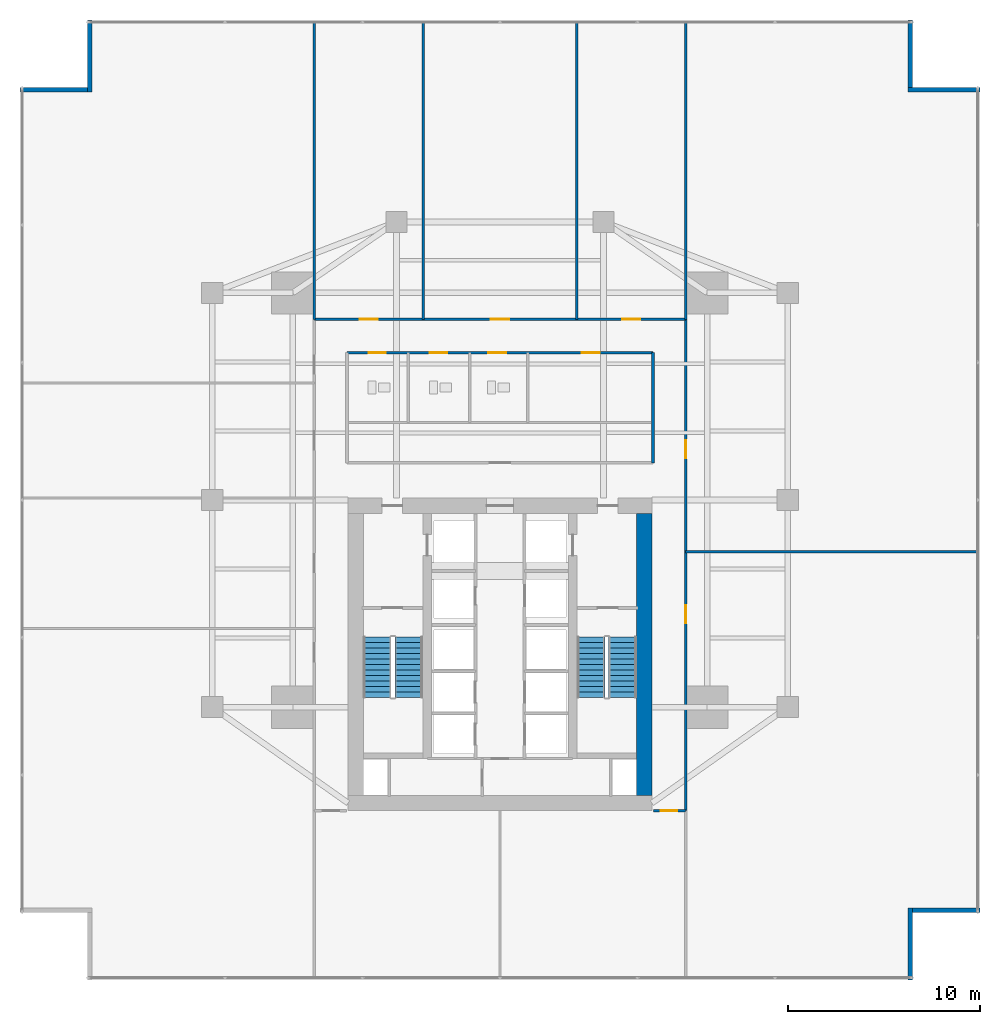
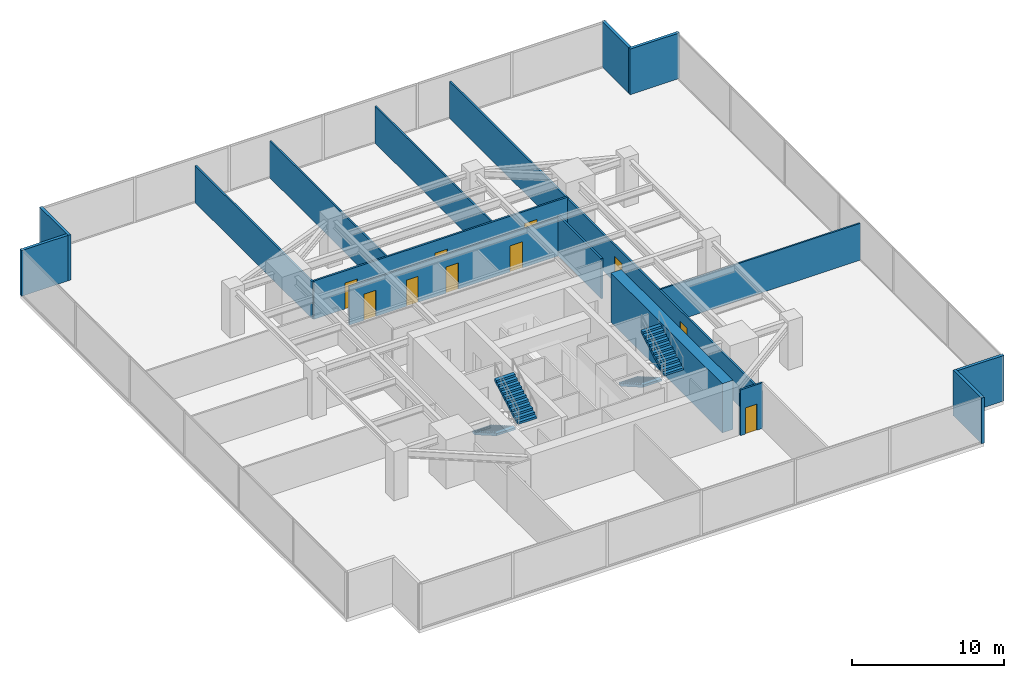
# One storey, part 26 of 28: 17 walls, 10 doors, 4 stair flights, 10 openings, 2 elements without a shape of their own.
"""IFC4 building model written with IfcOpenShell, lengths in metres."""

import ifcopenshell
import ifcopenshell.guid

model = None  # the IFC model being written
_history = None  # IfcOwnerHistory: only IFC2X3 demands one
_inside = {}  # id of a spatial element -> (the spatial element, [elements in it])
_under = {}  # id of a project, library or spatial element -> (it, [spatial elements below it])
_declared = {}  # id of a project -> (the project, [libraries it declares])
_typed = {}  # id of a type object -> (the type object, [elements of that type])
_made_of = {}  # id of a material, layer set ... -> (it, [elements and type objects made of it])


def new_model(schema):
    """Start an empty IFC model of exactly this schema.

    Asked for "IFC4X3", IfcOpenShell would pick the latest addendum, in which some entities
    have other attributes; the version numbers below select the first issue.
    IFC2X3 requires an IfcOwnerHistory on every rooted entity: one is made here for all.
    """
    global model, _history
    if schema == "IFC4X3":
        model = ifcopenshell.file(schema_version=(4, 3, 0, 0))
    else:
        model = ifcopenshell.file(schema=schema)
    _inside.clear()
    _under.clear()
    _declared.clear()
    _typed.clear()
    _made_of.clear()
    _history = None
    if model.schema == "IFC2X3":
        org = make("IfcOrganization", Name="unknown")
        user = make(
            "IfcPersonAndOrganization",
            ThePerson=make("IfcPerson", FamilyName="unknown"),
            TheOrganization=org,
        )
        app = make(
            "IfcApplication",
            ApplicationDeveloper=org,
            Version="unknown",
            ApplicationFullName="unknown",
            ApplicationIdentifier="unknown",
        )
        _history = make(
            "IfcOwnerHistory",
            OwningUser=user,
            OwningApplication=app,
            ChangeAction="ADDED",
            CreationDate=0,
        )
    return model


def make(cls, **values):
    """One entity of the class cls with the attributes given. An attribute that is None is left unset."""
    return model.create_entity(
        cls, **{name: value for name, value in values.items() if value is not None}
    )


def rooted(cls, **values):
    """An entity with a GlobalId (a new one), such as an element, a storey or a relation."""
    return make(cls, GlobalId=ifcopenshell.guid.new(), OwnerHistory=_history, **values)


def si_unit(unit_type, name, prefix=None):
    """IfcSIUnit, for example si_unit("LENGTHUNIT", "METRE", prefix="MILLI")."""
    return make("IfcSIUnit", UnitType=unit_type, Prefix=prefix, Name=name)


def assignment(units):
    """IfcUnitAssignment: the units of a project."""
    return None if units is None else make("IfcUnitAssignment", Units=units)


def point(xyz):
    """IfcCartesianPoint."""
    return None if xyz is None else make("IfcCartesianPoint", Coordinates=xyz)


def direction(xyz):
    """IfcDirection."""
    return None if xyz is None else make("IfcDirection", DirectionRatios=xyz)


def frame(location, z_axis=None, x_axis=None):
    """IfcAxis2Placement3D, a coordinate frame: its origin and axes. An axis left out is left unset."""
    return make(
        "IfcAxis2Placement3D",
        Location=point(location),
        Axis=direction(z_axis),
        RefDirection=direction(x_axis),
    )


def frame_2d(location, x_axis=None):
    """IfcAxis2Placement2D, a coordinate frame in the plane: its origin and x axis."""
    return make(
        "IfcAxis2Placement2D", Location=point(location), RefDirection=direction(x_axis)
    )


def origin():
    """The frame at (0, 0, 0) with its axes left unset."""
    return frame((0.0, 0.0, 0.0))


def place(relative_to, where):
    """IfcLocalPlacement: puts the frame where relative to a parent placement (None: the world)."""
    return make(
        "IfcLocalPlacement", PlacementRelTo=relative_to, RelativePlacement=where
    )


def context(
    kind, dimensions, precision=None, world=None, true_north=None, identifier=None
):
    """IfcGeometricRepresentationContext, for example the 3D "Model" context."""
    return make(
        "IfcGeometricRepresentationContext",
        ContextIdentifier=identifier,
        ContextType=kind,
        CoordinateSpaceDimension=dimensions,
        Precision=precision,
        WorldCoordinateSystem=world,
        TrueNorth=true_north,
    )


def subcontext(parent, identifier, kind, view, scale=None):
    """IfcGeometricRepresentationSubContext, for example "Body" below "Model"."""
    return make(
        "IfcGeometricRepresentationSubContext",
        ContextIdentifier=identifier,
        ContextType=kind,
        ParentContext=parent,
        TargetScale=scale,
        TargetView=view,
    )


def project(units=None, contexts=None):
    """IfcProject with its units and contexts."""
    return rooted(
        "IfcProject",
        Name="project",
        RepresentationContexts=contexts,
        UnitsInContext=assignment(units),
    )


def spatial(cls, under=None, at=None, **own):
    """A site, building, storey or space (cls), placed at a placement, below another one or the project."""
    s = rooted(cls, ObjectPlacement=at, **own)
    if under is not None:
        _under.setdefault(under.id(), (under, []))[1].append(s)
    return s


def polyline(points):
    """IfcPolyline through the points."""
    return make("IfcPolyline", Points=[point(p) for p in points])


def profile(cls, at=None, kind="AREA", **sizes):
    """A parametric profile (cls). Its sizes go by their IFC names, for example OverallWidth=200.0."""
    return make(cls, ProfileType=kind, Position=at, **sizes)


def rectangle(**sizes):
    """IfcRectangleProfileDef."""
    return profile("IfcRectangleProfileDef", **sizes)


def outline(outer, holes=None, kind="AREA"):
    """IfcArbitraryClosedProfileDef: a profile drawn as a closed curve; with holes, ...WithVoids."""
    if holes is None:
        return make("IfcArbitraryClosedProfileDef", ProfileType=kind, OuterCurve=outer)
    return make(
        "IfcArbitraryProfileDefWithVoids",
        ProfileType=kind,
        OuterCurve=outer,
        InnerCurves=holes,
    )


def extrude(swept, where, along, depth):
    """IfcExtrudedAreaSolid: the profile swept, set in the frame where, extruded along a direction by depth."""
    return make(
        "IfcExtrudedAreaSolid",
        SweptArea=swept,
        Position=where,
        ExtrudedDirection=direction(along),
        Depth=depth,
    )


def shape(context_of_items, identifier, shape_type, items):
    """IfcShapeRepresentation: the items that make up one representation, for example the "Body"."""
    return make(
        "IfcShapeRepresentation",
        ContextOfItems=context_of_items,
        RepresentationIdentifier=identifier,
        RepresentationType=shape_type,
        Items=items,
    )


def material(Name=None, Category=None):
    """IfcMaterial."""
    return make("IfcMaterial", Name=Name, Category=Category)


def layer(
    of_material, thickness, ventilated=None, Name=None, Category=None, Priority=None
):
    """IfcMaterialLayer: one layer of a wall or slab, of a material (None: an air gap)."""
    return make(
        "IfcMaterialLayer",
        Material=of_material,
        LayerThickness=thickness,
        IsVentilated=ventilated,
        Name=Name,
        Category=Category,
        Priority=Priority,
    )


def layer_set(layers, Name=None):
    """IfcMaterialLayerSet."""
    return make("IfcMaterialLayerSet", MaterialLayers=layers, LayerSetName=Name)


def made_of(thing, what):
    """Note that an element or type object is made of a material, layer set ...; save() writes the relation."""
    if what is not None:
        _made_of.setdefault(what.id(), (what, []))[1].append(thing)
    return thing


def type_object(cls, material=None, **own):
    """A type object (cls), such as IfcWallType, which elements share."""
    return made_of(rooted(cls, **own), material)


def element(
    cls,
    number,
    at=None,
    inside=None,
    cuts=None,
    type_object=None,
    material=None,
    context=None,
    identifier="Body",
    shape_type=None,
    held_by="IfcProductDefinitionShape",
    body=None,
    shapes=None,
    **own,
):
    """One element of the class cls, such as IfcWall. Its Tag is "e" and its number.

    at: its placement. inside: the storey or other place that contains it. cuts: it is an
    opening in that element (IfcRelVoidsElement). A single representation is given by context,
    identifier, shape_type and body (its items); several are given by shapes. held_by: the class
    of the entity that holds the representations. save() writes the other relations.
    """
    e = rooted(cls, Tag="e%d" % number, ObjectPlacement=at, **own)
    if body is not None:
        shapes = [shape(context, identifier, shape_type, body)]
    if shapes is not None:
        e.Representation = make(held_by, Representations=shapes)
    if inside is not None:
        _inside.setdefault(inside.id(), (inside, []))[1].append(e)
    if cuts is not None:
        rooted(
            "IfcRelVoidsElement", RelatingBuildingElement=cuts, RelatedOpeningElement=e
        )
    if type_object is not None:
        _typed.setdefault(type_object.id(), (type_object, []))[1].append(e)
    return made_of(e, material)


def fill(opening, filler):
    """IfcRelFillsElement: the door or window that sits in an opening."""
    return rooted(
        "IfcRelFillsElement",
        RelatingOpeningElement=opening,
        RelatedBuildingElement=filler,
    )


def aggregate(whole, parts):
    """IfcRelAggregates: a whole, such as a stair, and the parts it consists of."""
    return rooted("IfcRelAggregates", RelatingObject=whole, RelatedObjects=parts)


def save(model, path):
    """Write the relations noted so far, then the file.

    IfcRelAggregates (storeys below a building ...), IfcRelContainedInSpatialStructure (elements
    in a storey), IfcRelDefinesByType, IfcRelAssociatesMaterial and IfcRelDeclares: one each for
    every whole, place, type object, material and project.
    """
    for whole, parts in _under.values():
        aggregate(whole, parts)
    for where, things in _inside.values():
        rooted(
            "IfcRelContainedInSpatialStructure",
            RelatedElements=things,
            RelatingStructure=where,
        )
    for kind, things in _typed.values():
        rooted("IfcRelDefinesByType", RelatedObjects=things, RelatingType=kind)
    for what, things in _made_of.values():
        rooted("IfcRelAssociatesMaterial", RelatedObjects=things, RelatingMaterial=what)
    for by, libraries in _declared.values():
        rooted("IfcRelDeclares", RelatingContext=by, RelatedDefinitions=libraries)
    model.write(path)


model = new_model("IFC4")

# Units and contexts
model_context = context("Model", 3, precision=1e-05, world=origin(), true_north=direction((0.0, 1.0)))
body_context = subcontext(model_context, "Body", "Model", "MODEL_VIEW")
ifc_project = project(units=[si_unit("LENGTHUNIT", "METRE"), si_unit("AREAUNIT", "SQUARE_METRE"), si_unit("VOLUMEUNIT", "CUBIC_METRE"), si_unit("PLANEANGLEUNIT", "RADIAN"), si_unit("MASSUNIT", "GRAM", prefix="KILO")], contexts=[model_context])

# Site, building, storey
site_placement = place(None, origin())
site = spatial("IfcSite", under=ifc_project, at=site_placement, CompositionType="ELEMENT")
building_placement = place(site_placement, origin())
building = spatial("IfcBuilding", under=site, at=building_placement, Name="Krantzveldt Concourse Tower", CompositionType="ELEMENT")
storey_placement = place(building_placement, frame((0.0, 0.0, 32.89990234375)))
storey = spatial("IfcBuildingStorey", under=building, at=storey_placement, Name="L07", CompositionType="ELEMENT", Elevation=32.89990234375)

# Walls
ifc_material_1 = material(Name="Anodised aluminium 6063-T6", Category="aluminium")
ifc_layer_1 = layer(ifc_material_1, 0.219970703125, Name="Anodised aluminium 6063-T6", Category="aluminium")
ifc_layer_set_1 = layer_set([ifc_layer_1], Name="Anodised aluminium 6063-T6 (WL-EXT-NOTCH220)")
wall_type_1 = type_object("IfcWallType", Name="WL-EXT-NOTCH220", PredefinedType="ELEMENTEDWALL", material=ifc_layer_set_1)
wall_1_placement = place(storey_placement, frame((14.5, 48.090087890625, 0.0), z_axis=(0.0, 0.0, 1.0), x_axis=(-1.0, 0.0, 0.0)))
element("IfcWall", 1, at=wall_1_placement, inside=storey, type_object=wall_type_1, Name="EW-L07-NCH00", PredefinedType="ELEMENTEDWALL", context=body_context, shape_type="SweptSolid", body=[
    extrude(rectangle(XDim=3.52490234375, YDim=0.219970703125, at=frame_2d((1.762451171875, 0.0))), origin(), (0.0, 0.0, 1.0), 3.670166015625),
])
wall_2_placement = place(storey_placement, frame((57.389892578125, 1.675048828125, 0.0), z_axis=(0.0, 0.0, 1.0), x_axis=(0.0, 1.0, 0.0)))
element("IfcWall", 2, at=wall_2_placement, inside=storey, type_object=wall_type_1, Name="EW-L07-NCH05", PredefinedType="ELEMENTEDWALL", context=body_context, shape_type="SweptSolid", body=[
    extrude(rectangle(XDim=3.744873046875, YDim=0.219970703125, at=frame_2d((1.87255859375, 0.0))), origin(), (0.0, 0.0, 1.0), 3.670166015625),
])
wall_3_placement = place(storey_placement, frame((57.5, 5.31005859375, 0.0), z_axis=(0.0, 0.0, 1.0), x_axis=(1.0, 0.0, 0.0)))
element("IfcWall", 3, at=wall_3_placement, inside=storey, type_object=wall_type_1, Name="EW-L07-NCH06", PredefinedType="ELEMENTEDWALL", context=body_context, shape_type="SweptSolid", body=[
    extrude(rectangle(XDim=3.52490234375, YDim=0.219970703125, at=frame_2d((1.762451171875, 0.0))), origin(), (0.0, 0.0, 1.0), 3.670166015625),
])
wall_4_placement = place(storey_placement, frame((61.02490234375, 48.090087890625, 0.0), z_axis=(0.0, 0.0, 1.0), x_axis=(-1.0, 0.0, 0.0)))
element("IfcWall", 4, at=wall_4_placement, inside=storey, type_object=wall_type_1, Name="EW-L07-NCH08", PredefinedType="ELEMENTEDWALL", context=body_context, shape_type="SweptSolid", body=[
    extrude(rectangle(XDim=3.744873046875, YDim=0.219970703125, at=frame_2d((1.87255859375, 0.0))), origin(), (0.0, 0.0, 1.0), 3.670166015625),
])
wall_5_placement = place(storey_placement, frame((57.389892578125, 48.199951171875, 0.0), z_axis=(0.0, 0.0, 1.0), x_axis=(0.0, 1.0, 0.0)))
element("IfcWall", 5, at=wall_5_placement, inside=storey, type_object=wall_type_1, Name="EW-L07-NCH09", PredefinedType="ELEMENTEDWALL", context=body_context, shape_type="SweptSolid", body=[
    extrude(rectangle(XDim=3.525146484375, YDim=0.219970703125, at=frame_2d((1.7626953125, 0.0))), origin(), (0.0, 0.0, 1.0), 3.670166015625),
])
wall_6_placement = place(storey_placement, frame((14.610107421875, 51.72509765625, 0.0), z_axis=(0.0, 0.0, 1.0), x_axis=(0.0, -1.0, 0.0)))
element("IfcWall", 6, at=wall_6_placement, inside=storey, type_object=wall_type_1, Name="EW-L07-NCH11", PredefinedType="ELEMENTEDWALL", context=body_context, shape_type="SweptSolid", body=[
    extrude(rectangle(XDim=3.7451171875, YDim=0.219970703125, at=frame_2d((1.87255859375, 0.0))), origin(), (0.0, 0.0, 1.0), 3.670166015625),
])
ifc_material_2 = material(Name="Fire-rated gypsum plasterboard on steel stud", Category="steel")
ifc_layer_2 = layer(ifc_material_2, 0.1201171875, Name="Fire-rated gypsum plasterboard on steel stud", Category="steel")
ifc_layer_set_2 = layer_set([ifc_layer_2], Name="Fire-rated gypsum plasterboard on steel stud (WL-PART-120)")
wall_type_2 = type_object("IfcWallType", Name="WL-PART-120", PredefinedType="PARTITIONING", material=ifc_layer_set_2)
for number, where, z_axis, x_axis, name in (
    (7, (32.0, 36.1201171875, 0.0), (0.0, 0.0, 1.0), (0.0, 1.0, 0.0), "WP-L07-ND1"),
    (8, (40.0, 36.1201171875, 0.0), (0.0, 0.0, 1.0), (0.0, 1.0, 0.0), "WP-L07-ND2"),
):
    element("IfcWall", number, at=place(storey_placement, frame(where, z_axis=z_axis, x_axis=x_axis)), inside=storey, type_object=wall_type_2, Name=name, PredefinedType="PARTITIONING", context=body_context, shape_type="SweptSolid", body=[
        extrude(rectangle(XDim=15.489990234375, YDim=0.1201171875, at=frame_2d((7.7451171875, 0.0))), origin(), (0.0, 0.0, 1.0), 2.97021484375),
    ])
wall_7_placement = place(storey_placement, frame((45.679931640625, 24.0, 0.0), z_axis=(0.0, 0.0, 1.0), x_axis=(1.0, 0.0, 0.0)))
element("IfcWall", 9, at=wall_7_placement, inside=storey, type_object=wall_type_2, Name="WP-L07-ED1", PredefinedType="PARTITIONING", context=body_context, shape_type="SweptSolid", body=[
    extrude(rectangle(XDim=15.22998046875, YDim=0.1201171875, at=frame_2d((7.614990234375, 0.0))), origin(), (0.0, 0.0, 1.0), 2.97021484375),
])

# Wall, openings, doors
ifc_layer_3 = layer(ifc_material_2, 0.139892578125, Name="Fire-rated gypsum plasterboard on steel stud", Category="steel")
ifc_layer_set_3 = layer_set([ifc_layer_3], Name="Fire-rated gypsum plasterboard on steel stud (WL-PART-140)")
wall_type_3 = type_object("IfcWallType", Name="WL-PART-140", PredefinedType="PARTITIONING", material=ifc_layer_set_3)
wall_8_placement = place(storey_placement, frame((28.02001953125, 34.3798828125, 0.0), z_axis=(0.0, 0.0, 1.0), x_axis=(1.0, 0.0, 0.0)))
wall_8 = element("IfcWall", 10, at=wall_8_placement, inside=storey, type_object=wall_type_3, Name="WP-L07-ISLN", PredefinedType="PARTITIONING", context=body_context, shape_type="SweptSolid", body=[
    extrude(rectangle(XDim=15.9599609375, YDim=0.139892578125, at=frame_2d((7.97998046875, 0.0))), origin(), (0.0, 0.0, 1.0), 3.080078125),
])
opening_1_placement = place(wall_8_placement, frame((1.1298828125, 0.0, 0.0)))
opening_1 = element("IfcOpeningElement", 11, at=opening_1_placement, cuts=wall_8, Name="Opening D-IN090", PredefinedType="OPENING", context=body_context, shape_type="SweptSolid", body=[
    extrude(rectangle(XDim=0.89990234375, YDim=2.10009765625, at=frame_2d((0.449951171875, 1.050048828125))), frame((0.0, 0.080078125, 0.0), z_axis=(0.0, -1.0, 0.0), x_axis=(1.0, 0.0, 0.0)), (0.0, 0.0, 1.0), 0.159912109375),
])
opening_2_placement = place(wall_8_placement, frame((4.330078125, 0.0, 0.0)))
opening_2 = element("IfcOpeningElement", 12, at=opening_2_placement, cuts=wall_8, Name="Opening D-IN090", PredefinedType="OPENING", context=body_context, shape_type="SweptSolid", body=[
    extrude(rectangle(XDim=0.89990234375, YDim=2.10009765625, at=frame_2d((0.449951171875, 1.050048828125))), frame((0.0, 0.080078125, 0.0), z_axis=(0.0, -1.0, 0.0), x_axis=(1.0, 0.0, 0.0)), (0.0, 0.0, 1.0), 0.159912109375),
])
opening_3_placement = place(wall_8_placement, frame((7.35498046875, 0.0, 0.0)))
opening_3 = element("IfcOpeningElement", 13, at=opening_3_placement, cuts=wall_8, Name="Opening D-IN095", PredefinedType="OPENING", context=body_context, shape_type="SweptSolid", body=[
    extrude(rectangle(XDim=0.949951171875, YDim=2.10009765625, at=frame_2d((0.47509765625, 1.050048828125))), frame((0.0, 0.080078125, 0.0), z_axis=(0.0, -1.0, 0.0), x_axis=(1.0, 0.0, 0.0)), (0.0, 0.0, 1.0), 0.159912109375),
])
opening_4_placement = place(wall_8_placement, frame((12.22998046875, 0.0, 0.0)))
opening_4 = element("IfcOpeningElement", 14, at=opening_4_placement, cuts=wall_8, Name="Opening D-IN095", PredefinedType="OPENING", context=body_context, shape_type="SweptSolid", body=[
    extrude(rectangle(XDim=0.949951171875, YDim=2.10009765625, at=frame_2d((0.47509765625, 1.050048828125))), frame((0.0, 0.080078125, 0.0), z_axis=(0.0, -1.0, 0.0), x_axis=(1.0, 0.0, 0.0)), (0.0, 0.0, 1.0), 0.159912109375),
])
ifc_material_3 = material(Name="Hardwood timber", Category="wood")
door_type_1 = type_object("IfcDoorType", Name="DR-INT-900", OperationType="SINGLE_SWING_LEFT", PredefinedType="DOOR", material=ifc_material_3)
door_1_placement = place(opening_1_placement, origin())
door_1 = element("IfcDoor", 15, at=door_1_placement, inside=storey, type_object=door_type_1, Name="DR-L07-WCM", OperationType="SINGLE_SWING_LEFT", OverallHeight=2.10009765625, OverallWidth=0.89990234375, PredefinedType="DOOR", context=body_context, shape_type="SweptSolid", body=[
    extrude(rectangle(XDim=0.89990234375, YDim=2.10009765625, at=frame_2d((0.449951171875, 1.050048828125))), frame((0.0, 0.02490234375, 0.0), z_axis=(0.0, -1.0, 0.0), x_axis=(1.0, 0.0, 0.0)), (0.0, 0.0, 1.0), 0.050048828125),
])
fill(opening_1, door_1)
door_2_placement = place(opening_2_placement, origin())
door_2 = element("IfcDoor", 16, at=door_2_placement, inside=storey, type_object=door_type_1, Name="DR-L07-WCF", OperationType="SINGLE_SWING_RIGHT", OverallHeight=2.10009765625, OverallWidth=0.89990234375, PredefinedType="DOOR", context=body_context, shape_type="SweptSolid", body=[
    extrude(rectangle(XDim=0.89990234375, YDim=2.10009765625, at=frame_2d((0.449951171875, 1.050048828125))), frame((0.0, 0.02490234375, 0.0), z_axis=(0.0, -1.0, 0.0), x_axis=(1.0, 0.0, 0.0)), (0.0, 0.0, 1.0), 0.050048828125),
])
fill(opening_2, door_2)
door_type_2 = type_object("IfcDoorType", Name="DR-INT-950", OperationType="SINGLE_SWING_LEFT", PredefinedType="DOOR", material=ifc_material_3)
door_3_placement = place(opening_3_placement, origin())
door_3 = element("IfcDoor", 17, at=door_3_placement, inside=storey, type_object=door_type_2, Name="DR-L07-WCA", OperationType="SINGLE_SWING_LEFT", OverallHeight=2.10009765625, OverallWidth=0.949951171875, PredefinedType="DOOR", context=body_context, shape_type="SweptSolid", body=[
    extrude(rectangle(XDim=0.949951171875, YDim=2.10009765625, at=frame_2d((0.47509765625, 1.050048828125))), frame((0.0, 0.02490234375, 0.0), z_axis=(0.0, -1.0, 0.0), x_axis=(1.0, 0.0, 0.0)), (0.0, 0.0, 1.0), 0.050048828125),
])
fill(opening_3, door_3)
door_4_placement = place(opening_4_placement, origin())
door_4 = element("IfcDoor", 18, at=door_4_placement, inside=storey, type_object=door_type_2, Name="DR-L07-PNT", OperationType="SINGLE_SWING_RIGHT", OverallHeight=2.10009765625, OverallWidth=0.949951171875, PredefinedType="DOOR", context=body_context, shape_type="SweptSolid", body=[
    extrude(rectangle(XDim=0.949951171875, YDim=2.10009765625, at=frame_2d((0.47509765625, 1.050048828125))), frame((0.0, 0.02490234375, 0.0), z_axis=(0.0, -1.0, 0.0), x_axis=(1.0, 0.0, 0.0)), (0.0, 0.0, 1.0), 0.050048828125),
])
fill(opening_4, door_4)

# Wall
wall_9_placement = place(storey_placement, frame((43.97998046875, 28.639892578125, 0.0), z_axis=(0.0, 0.0, 1.0), x_axis=(0.0, 1.0, 0.0)))
element("IfcWall", 19, at=wall_9_placement, inside=storey, type_object=wall_type_3, Name="WP-L07-ISLE", PredefinedType="PARTITIONING", context=body_context, shape_type="SweptSolid", body=[
    extrude(rectangle(XDim=5.739990234375, YDim=0.139892578125, at=frame_2d((2.8701171875, 0.0))), origin(), (0.0, 0.0, 1.0), 3.22021484375),
])

# Wall, openings, doors
wall_10_placement = place(storey_placement, frame((26.320068359375, 36.1201171875, 0.0), z_axis=(0.0, 0.0, 1.0), x_axis=(1.0, 0.0, 0.0)))
wall_10 = element("IfcWall", 20, at=wall_10_placement, inside=storey, type_object=wall_type_3, Name="WP-L07-CTOP", PredefinedType="PARTITIONING", context=body_context, shape_type="SweptSolid", body=[
    extrude(rectangle(XDim=19.35986328125, YDim=0.139892578125, at=frame_2d((9.679931640625, 0.0))), origin(), (0.0, 0.0, 1.0), 3.080078125),
])
opening_5_placement = place(wall_10_placement, frame((2.364990234375, 0.0, 0.0)))
opening_5 = element("IfcOpeningElement", 21, at=opening_5_placement, cuts=wall_10, Name="Opening D-IN095", PredefinedType="OPENING", context=body_context, shape_type="SweptSolid", body=[
    extrude(rectangle(XDim=0.949951171875, YDim=2.10009765625, at=frame_2d((0.47509765625, 1.050048828125))), frame((0.0, 0.080078125, 0.0), z_axis=(0.0, -1.0, 0.0), x_axis=(1.0, 0.0, 0.0)), (0.0, 0.0, 1.0), 0.159912109375),
])
opening_6_placement = place(wall_10_placement, frame((9.205078125, 0.0, 0.0)))
opening_6 = element("IfcOpeningElement", 22, at=opening_6_placement, cuts=wall_10, Name="Opening D-IN095", PredefinedType="OPENING", context=body_context, shape_type="SweptSolid", body=[
    extrude(rectangle(XDim=0.949951171875, YDim=2.10009765625, at=frame_2d((0.47509765625, 1.050048828125))), frame((0.0, 0.080078125, 0.0), z_axis=(0.0, -1.0, 0.0), x_axis=(1.0, 0.0, 0.0)), (0.0, 0.0, 1.0), 0.159912109375),
])
opening_7_placement = place(wall_10_placement, frame((16.044921875, 0.0, 0.0)))
opening_7 = element("IfcOpeningElement", 23, at=opening_7_placement, cuts=wall_10, Name="Opening D-IN095", PredefinedType="OPENING", context=body_context, shape_type="SweptSolid", body=[
    extrude(rectangle(XDim=0.949951171875, YDim=2.10009765625, at=frame_2d((0.47509765625, 1.050048828125))), frame((0.0, 0.080078125, 0.0), z_axis=(0.0, -1.0, 0.0), x_axis=(1.0, 0.0, 0.0)), (0.0, 0.0, 1.0), 0.159912109375),
])
door_5_placement = place(opening_5_placement, origin())
door_5 = element("IfcDoor", 24, at=door_5_placement, inside=storey, type_object=door_type_2, Name="DR-L07-NR1", OperationType="SINGLE_SWING_LEFT", OverallHeight=2.10009765625, OverallWidth=0.949951171875, PredefinedType="DOOR", context=body_context, shape_type="SweptSolid", body=[
    extrude(rectangle(XDim=0.949951171875, YDim=2.10009765625, at=frame_2d((0.47509765625, 1.050048828125))), frame((0.0, 0.02490234375, 0.0), z_axis=(0.0, -1.0, 0.0), x_axis=(1.0, 0.0, 0.0)), (0.0, 0.0, 1.0), 0.050048828125),
])
fill(opening_5, door_5)
door_6_placement = place(opening_6_placement, origin())
door_6 = element("IfcDoor", 25, at=door_6_placement, inside=storey, type_object=door_type_2, Name="DR-L07-NR2", OperationType="SINGLE_SWING_LEFT", OverallHeight=2.10009765625, OverallWidth=0.949951171875, PredefinedType="DOOR", context=body_context, shape_type="SweptSolid", body=[
    extrude(rectangle(XDim=0.949951171875, YDim=2.10009765625, at=frame_2d((0.47509765625, 1.050048828125))), frame((0.0, 0.02490234375, 0.0), z_axis=(0.0, -1.0, 0.0), x_axis=(1.0, 0.0, 0.0)), (0.0, 0.0, 1.0), 0.050048828125),
])
fill(opening_6, door_6)
door_7_placement = place(opening_7_placement, origin())
door_7 = element("IfcDoor", 26, at=door_7_placement, inside=storey, type_object=door_type_2, Name="DR-L07-NR3", OperationType="SINGLE_SWING_LEFT", OverallHeight=2.10009765625, OverallWidth=0.949951171875, PredefinedType="DOOR", context=body_context, shape_type="SweptSolid", body=[
    extrude(rectangle(XDim=0.949951171875, YDim=2.10009765625, at=frame_2d((0.47509765625, 1.050048828125))), frame((0.0, 0.02490234375, 0.0), z_axis=(0.0, -1.0, 0.0), x_axis=(1.0, 0.0, 0.0)), (0.0, 0.0, 1.0), 0.050048828125),
])
fill(opening_7, door_7)

wall_11_placement = place(storey_placement, frame((45.679931640625, 10.5, 0.0), z_axis=(0.0, 0.0, 1.0), x_axis=(0.0, 1.0, 0.0)))
wall_11 = element("IfcWall", 27, at=wall_11_placement, inside=storey, type_object=wall_type_3, Name="WP-L07-CEAST", PredefinedType="PARTITIONING", context=body_context, shape_type="SweptSolid", body=[
    extrude(rectangle(XDim=25.6201171875, YDim=0.139892578125, at=frame_2d((12.81005859375, 0.0))), origin(), (0.0, 0.0, 1.0), 2.97021484375),
])
opening_8_placement = place(wall_11_placement, frame((9.77490234375, 0.0, 0.0)))
opening_8 = element("IfcOpeningElement", 28, at=opening_8_placement, cuts=wall_11, Name="Opening D-IN095", PredefinedType="OPENING", context=body_context, shape_type="SweptSolid", body=[
    extrude(rectangle(XDim=0.949951171875, YDim=2.10009765625, at=frame_2d((0.47509765625, 1.050048828125))), frame((0.0, 0.080078125, 0.0), z_axis=(0.0, -1.0, 0.0), x_axis=(1.0, 0.0, 0.0)), (0.0, 0.0, 1.0), 0.159912109375),
])
opening_9_placement = place(wall_11_placement, frame((18.375, 0.0, 0.0)))
opening_9 = element("IfcOpeningElement", 29, at=opening_9_placement, cuts=wall_11, Name="Opening D-IN095", PredefinedType="OPENING", context=body_context, shape_type="SweptSolid", body=[
    extrude(rectangle(XDim=0.949951171875, YDim=2.10009765625, at=frame_2d((0.47509765625, 1.050048828125))), frame((0.0, 0.080078125, 0.0), z_axis=(0.0, -1.0, 0.0), x_axis=(1.0, 0.0, 0.0)), (0.0, 0.0, 1.0), 0.159912109375),
])
door_8_placement = place(opening_8_placement, origin())
door_8 = element("IfcDoor", 30, at=door_8_placement, inside=storey, type_object=door_type_2, Name="DR-L07-ER1", OperationType="SINGLE_SWING_LEFT", OverallHeight=2.10009765625, OverallWidth=0.949951171875, PredefinedType="DOOR", context=body_context, shape_type="SweptSolid", body=[
    extrude(rectangle(XDim=0.949951171875, YDim=2.10009765625, at=frame_2d((0.47509765625, 1.050048828125))), frame((0.0, 0.02490234375, 0.0), z_axis=(0.0, -1.0, 0.0), x_axis=(1.0, 0.0, 0.0)), (0.0, 0.0, 1.0), 0.050048828125),
])
fill(opening_8, door_8)
door_9_placement = place(opening_9_placement, origin())
door_9 = element("IfcDoor", 31, at=door_9_placement, inside=storey, type_object=door_type_2, Name="DR-L07-ER2", OperationType="SINGLE_SWING_LEFT", OverallHeight=2.10009765625, OverallWidth=0.949951171875, PredefinedType="DOOR", context=body_context, shape_type="SweptSolid", body=[
    extrude(rectangle(XDim=0.949951171875, YDim=2.10009765625, at=frame_2d((0.47509765625, 1.050048828125))), frame((0.0, 0.02490234375, 0.0), z_axis=(0.0, -1.0, 0.0), x_axis=(1.0, 0.0, 0.0)), (0.0, 0.0, 1.0), 0.050048828125),
])
fill(opening_9, door_9)

# Wall, opening, door
wall_12_placement = place(storey_placement, frame((44.0, 10.5, 0.0), z_axis=(0.0, 0.0, 1.0), x_axis=(1.0, 0.0, 0.0)))
wall_12 = element("IfcWall", 32, at=wall_12_placement, inside=storey, type_object=wall_type_3, Name="WP-L07-CEBOT", PredefinedType="PARTITIONING", context=body_context, shape_type="SweptSolid", body=[
    extrude(rectangle(XDim=1.679931640625, YDim=0.139892578125, at=frame_2d((0.83984375, 0.0))), origin(), (0.0, 0.0, 1.0), 3.670166015625),
])
opening_10_placement = place(wall_12_placement, frame((0.385009765625, 0.0, 0.0)))
opening_10 = element("IfcOpeningElement", 33, at=opening_10_placement, cuts=wall_12, Name="Opening D-IN085", PredefinedType="OPENING", context=body_context, shape_type="SweptSolid", body=[
    extrude(rectangle(XDim=0.85009765625, YDim=2.10009765625, at=frame_2d((0.425048828125, 1.050048828125))), frame((0.0, 0.080078125, 0.0), z_axis=(0.0, -1.0, 0.0), x_axis=(1.0, 0.0, 0.0)), (0.0, 0.0, 1.0), 0.159912109375),
])
door_type_3 = type_object("IfcDoorType", Name="DR-INT-850", OperationType="SINGLE_SWING_LEFT", PredefinedType="DOOR", material=ifc_material_3)
door_10_placement = place(opening_10_placement, origin())
door_10 = element("IfcDoor", 34, at=door_10_placement, inside=storey, type_object=door_type_3, Name="DR-L07-SR2", OperationType="SINGLE_SWING_LEFT", OverallHeight=2.10009765625, OverallWidth=0.85009765625, PredefinedType="DOOR", context=body_context, shape_type="SweptSolid", body=[
    extrude(rectangle(XDim=0.85009765625, YDim=2.10009765625, at=frame_2d((0.425048828125, 1.050048828125))), frame((0.0, 0.02490234375, 0.0), z_axis=(0.0, -1.0, 0.0), x_axis=(1.0, 0.0, 0.0)), (0.0, 0.0, 1.0), 0.050048828125),
])
fill(opening_10, door_10)

# Walls
for number, where, z_axis, x_axis, name in (
    (35, (26.320068359375, 36.1201171875, 0.0), (0.0, 0.0, 1.0), (0.0, 1.0, 0.0), "WP-L07-NWL"),
    (36, (45.679931640625, 36.1201171875, 0.0), (0.0, 0.0, 1.0), (0.0, 1.0, 0.0), "WP-L07-NER"),
):
    element("IfcWall", number, at=place(storey_placement, frame(where, z_axis=z_axis, x_axis=x_axis)), inside=storey, type_object=wall_type_3, Name=name, PredefinedType="PARTITIONING", context=body_context, shape_type="SweptSolid", body=[
        extrude(rectangle(XDim=15.489990234375, YDim=0.139892578125, at=frame_2d((7.7451171875, 0.0))), origin(), (0.0, 0.0, 1.0), 2.97021484375),
    ])
ifc_material_4 = material(Name="Concrete C60/75", Category="concrete")
ifc_layer_4 = layer(ifc_material_4, 0.800048828125, Name="Concrete C60/75", Category="concrete")
ifc_layer_set_4 = layer_set([ifc_layer_4], Name="Concrete C60/75 (WL-SHEAR-800)")
wall_type_4 = type_object("IfcWallType", Name="WL-SHEAR-800", PredefinedType="SHEAR", material=ifc_layer_set_4)
wall_13_placement = place(storey_placement, frame((43.52001953125, 11.300048828125, 0.0), z_axis=(0.0, 0.0, 1.0), x_axis=(0.0, 1.0, 0.0)))
element("IfcWall", 37, at=wall_13_placement, inside=storey, type_object=wall_type_4, Name="CW-L07-E", PredefinedType="SHEAR", context=body_context, shape_type="SweptSolid", body=[
    extrude(rectangle(XDim=14.699951171875, YDim=0.800048828125, at=frame_2d((7.35009765625, 0.0))), origin(), (0.0, 0.0, 1.0), 3.9501953125),
])

# Stair, stair flights
ifc_material_5 = material(Name="Precast concrete C40/50", Category="concrete")
stair_type = type_object("IfcStairType", Name="STR-CORE-DOGLEG", PredefinedType="HALF_TURN_STAIR", material=ifc_material_5)
stair_1_placement = place(storey_placement, origin())
stair_1 = element("IfcStair", 38, at=stair_1_placement, inside=storey, type_object=stair_type, Name="L07 Protected Escape Stair ST-1", PredefinedType="HALF_TURN_STAIR")
stair_flight_type = type_object("IfcStairFlightType", Name="STF-CORE-1450", PredefinedType="STRAIGHT", material=ifc_material_5)
stair_flight_1_placement = place(storey_placement, frame((29.60498046875, 19.550048828125, 0.0), z_axis=(0.0, 0.0, 1.0), x_axis=(0.0, -1.0, 0.0)))
stair_flight_1 = element("IfcStairFlight", 39, at=stair_flight_1_placement, type_object=stair_flight_type, Name="ST-1 flight 1", NumberOfRisers=12, NumberOfTreads=11, PredefinedType="STRAIGHT", RiserHeight=0.164583333, TreadLength=0.285, context=body_context, shape_type="SweptSolid", body=[
    extrude(outline(polyline([(0.0, 0.0), (0.0, 0.16455078125), (0.284912109375, 0.16455078125), (0.284912109375, 0.3291015625), (0.570068359375, 0.3291015625), (0.570068359375, 0.49365234375), (0.85498046875, 0.49365234375), (0.85498046875, 0.658447265625), (1.139892578125, 0.658447265625), (1.139892578125, 0.822998046875), (1.425048828125, 0.822998046875), (1.425048828125, 0.987548828125), (1.7099609375, 0.987548828125), (1.7099609375, 1.152099609375), (1.9951171875, 1.152099609375), (1.9951171875, 1.316650390625), (2.280029296875, 1.316650390625), (2.280029296875, 1.481201171875), (2.56494140625, 1.481201171875), (2.56494140625, 1.645751953125), (2.85009765625, 1.645751953125), (2.85009765625, 1.810302734375), (3.135009765625, 1.810302734375), (3.135009765625, 1.97509765625), (3.135009765625, 1.63720703125), (0.2998046875, 0.0), (0.0, 0.0)])), frame((0.0, 0.72509765625, 0.0), z_axis=(0.0, -1.0, 0.0), x_axis=(1.0, 0.0, 0.0)), (0.0, 0.0, 1.0), 1.449951171875),
])
stair_flight_2_placement = place(storey_placement, frame((31.2548828125, 16.4150390625, 1.97509765625), z_axis=(0.0, 0.0, 1.0), x_axis=(0.0, 1.0, 0.0)))
stair_flight_2 = element("IfcStairFlight", 40, at=stair_flight_2_placement, type_object=stair_flight_type, Name="ST-1 flight 2", NumberOfRisers=12, NumberOfTreads=11, PredefinedType="STRAIGHT", RiserHeight=0.164583333, TreadLength=0.285, context=body_context, shape_type="SweptSolid", body=[
    extrude(outline(polyline([(0.0, 0.0), (0.0, 0.16455078125), (0.284912109375, 0.16455078125), (0.284912109375, 0.3291015625), (0.570068359375, 0.3291015625), (0.570068359375, 0.49365234375), (0.85498046875, 0.49365234375), (0.85498046875, 0.658447265625), (1.139892578125, 0.658447265625), (1.139892578125, 0.822998046875), (1.425048828125, 0.822998046875), (1.425048828125, 0.987548828125), (1.7099609375, 0.987548828125), (1.7099609375, 1.152099609375), (1.9951171875, 1.152099609375), (1.9951171875, 1.316650390625), (2.280029296875, 1.316650390625), (2.280029296875, 1.481201171875), (2.56494140625, 1.481201171875), (2.56494140625, 1.645751953125), (2.85009765625, 1.645751953125), (2.85009765625, 1.810302734375), (3.135009765625, 1.810302734375), (3.135009765625, 1.97509765625), (3.135009765625, 1.63720703125), (0.2998046875, 0.0), (0.0, 0.0)])), frame((0.0, 0.72509765625, 0.0), z_axis=(0.0, -1.0, 0.0), x_axis=(1.0, 0.0, 0.0)), (0.0, 0.0, 1.0), 1.449951171875),
])
aggregate(stair_1, [stair_flight_1, stair_flight_2])

stair_2_placement = place(storey_placement, origin())
stair_2 = element("IfcStair", 41, at=stair_2_placement, inside=storey, type_object=stair_type, Name="L07 Protected Escape Stair ST-2", PredefinedType="HALF_TURN_STAIR")
stair_flight_3_placement = place(storey_placement, frame((40.7451171875, 19.550048828125, 0.0), z_axis=(0.0, 0.0, 1.0), x_axis=(0.0, -1.0, 0.0)))
stair_flight_3 = element("IfcStairFlight", 42, at=stair_flight_3_placement, type_object=stair_flight_type, Name="ST-2 flight 1", NumberOfRisers=12, NumberOfTreads=11, PredefinedType="STRAIGHT", RiserHeight=0.164583333, TreadLength=0.285, context=body_context, shape_type="SweptSolid", body=[
    extrude(outline(polyline([(0.0, 0.0), (0.0, 0.16455078125), (0.284912109375, 0.16455078125), (0.284912109375, 0.3291015625), (0.570068359375, 0.3291015625), (0.570068359375, 0.49365234375), (0.85498046875, 0.49365234375), (0.85498046875, 0.658447265625), (1.139892578125, 0.658447265625), (1.139892578125, 0.822998046875), (1.425048828125, 0.822998046875), (1.425048828125, 0.987548828125), (1.7099609375, 0.987548828125), (1.7099609375, 1.152099609375), (1.9951171875, 1.152099609375), (1.9951171875, 1.316650390625), (2.280029296875, 1.316650390625), (2.280029296875, 1.481201171875), (2.56494140625, 1.481201171875), (2.56494140625, 1.645751953125), (2.85009765625, 1.645751953125), (2.85009765625, 1.810302734375), (3.135009765625, 1.810302734375), (3.135009765625, 1.97509765625), (3.135009765625, 1.63720703125), (0.2998046875, 0.0), (0.0, 0.0)])), frame((0.0, 0.72509765625, 0.0), z_axis=(0.0, -1.0, 0.0), x_axis=(1.0, 0.0, 0.0)), (0.0, 0.0, 1.0), 1.449951171875),
])
stair_flight_4_placement = place(storey_placement, frame((42.39501953125, 16.4150390625, 1.97509765625), z_axis=(0.0, 0.0, 1.0), x_axis=(0.0, 1.0, 0.0)))
stair_flight_4 = element("IfcStairFlight", 43, at=stair_flight_4_placement, type_object=stair_flight_type, Name="ST-2 flight 2", NumberOfRisers=12, NumberOfTreads=11, PredefinedType="STRAIGHT", RiserHeight=0.164583333, TreadLength=0.285, context=body_context, shape_type="SweptSolid", body=[
    extrude(outline(polyline([(0.0, 0.0), (0.0, 0.16455078125), (0.284912109375, 0.16455078125), (0.284912109375, 0.3291015625), (0.570068359375, 0.3291015625), (0.570068359375, 0.49365234375), (0.85498046875, 0.49365234375), (0.85498046875, 0.658447265625), (1.139892578125, 0.658447265625), (1.139892578125, 0.822998046875), (1.425048828125, 0.822998046875), (1.425048828125, 0.987548828125), (1.7099609375, 0.987548828125), (1.7099609375, 1.152099609375), (1.9951171875, 1.152099609375), (1.9951171875, 1.316650390625), (2.280029296875, 1.316650390625), (2.280029296875, 1.481201171875), (2.56494140625, 1.481201171875), (2.56494140625, 1.645751953125), (2.85009765625, 1.645751953125), (2.85009765625, 1.810302734375), (3.135009765625, 1.810302734375), (3.135009765625, 1.97509765625), (3.135009765625, 1.63720703125), (0.2998046875, 0.0), (0.0, 0.0)])), frame((0.0, 0.72509765625, 0.0), z_axis=(0.0, -1.0, 0.0), x_axis=(1.0, 0.0, 0.0)), (0.0, 0.0, 1.0), 1.449951171875),
])
aggregate(stair_2, [stair_flight_3, stair_flight_4])

save(model, "model.ifc")
